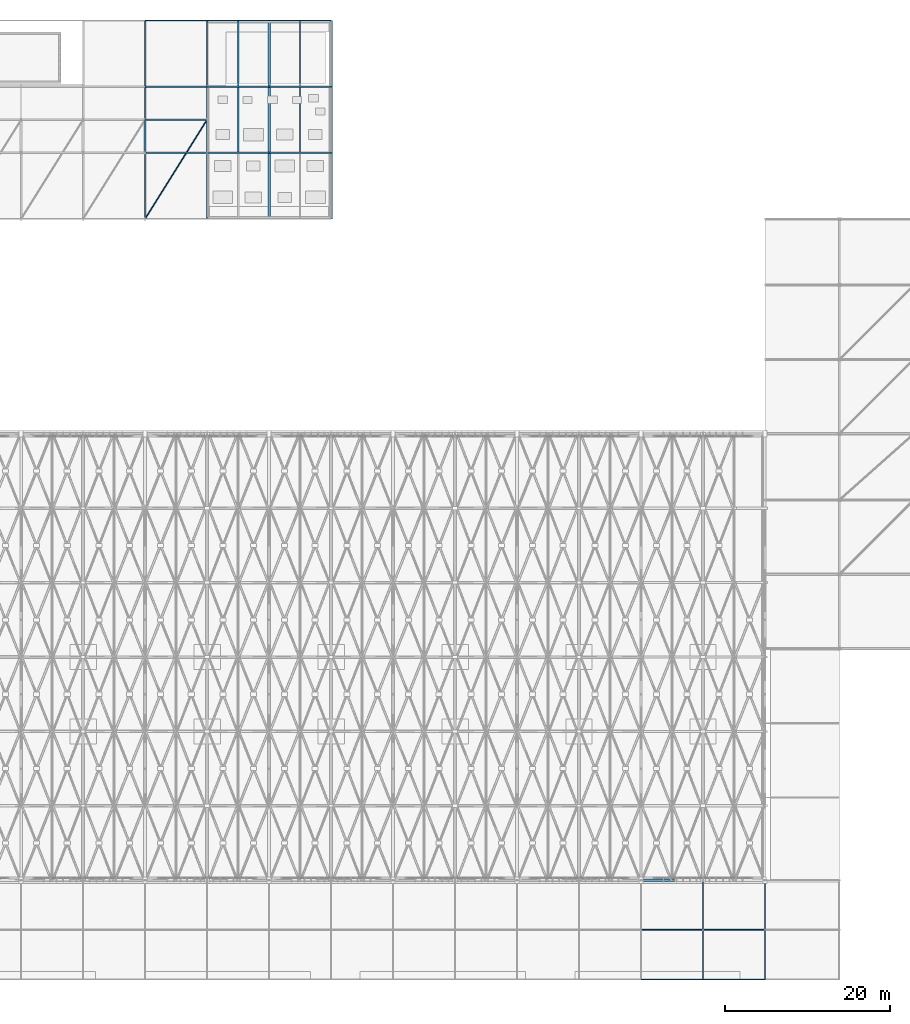
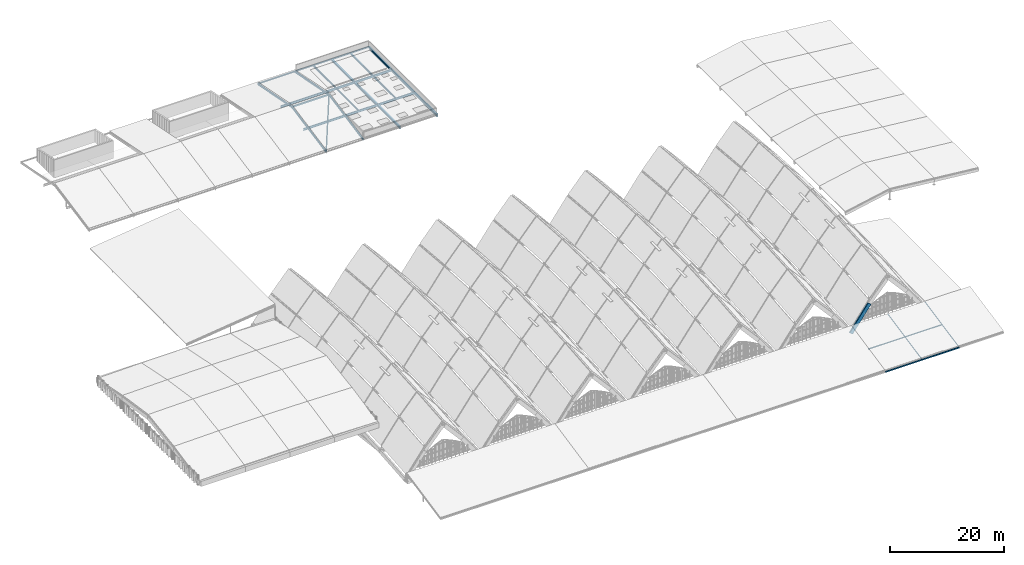
# One storey, part 49 of 93: 24 beams, 9 members.
"""IFC4 building model written with IfcOpenShell, lengths in metres."""

import ifcopenshell
import ifcopenshell.guid

model = None  # the IFC model being written
_history = None  # IfcOwnerHistory: only IFC2X3 demands one
_inside = {}  # id of a spatial element -> (the spatial element, [elements in it])
_under = {}  # id of a project, library or spatial element -> (it, [spatial elements below it])
_declared = {}  # id of a project -> (the project, [libraries it declares])
_typed = {}  # id of a type object -> (the type object, [elements of that type])
_made_of = {}  # id of a material, layer set ... -> (it, [elements and type objects made of it])


def new_model(schema):
    """Start an empty IFC model of exactly this schema.

    Asked for "IFC4X3", IfcOpenShell would pick the latest addendum, in which some entities
    have other attributes; the version numbers below select the first issue.
    IFC2X3 requires an IfcOwnerHistory on every rooted entity: one is made here for all.
    """
    global model, _history
    if schema == "IFC4X3":
        model = ifcopenshell.file(schema_version=(4, 3, 0, 0))
    else:
        model = ifcopenshell.file(schema=schema)
    _inside.clear()
    _under.clear()
    _declared.clear()
    _typed.clear()
    _made_of.clear()
    _history = None
    if model.schema == "IFC2X3":
        org = make("IfcOrganization", Name="unknown")
        user = make(
            "IfcPersonAndOrganization",
            ThePerson=make("IfcPerson", FamilyName="unknown"),
            TheOrganization=org,
        )
        app = make(
            "IfcApplication",
            ApplicationDeveloper=org,
            Version="unknown",
            ApplicationFullName="unknown",
            ApplicationIdentifier="unknown",
        )
        _history = make(
            "IfcOwnerHistory",
            OwningUser=user,
            OwningApplication=app,
            ChangeAction="ADDED",
            CreationDate=0,
        )
    return model


def make(cls, **values):
    """One entity of the class cls with the attributes given. An attribute that is None is left unset."""
    return model.create_entity(
        cls, **{name: value for name, value in values.items() if value is not None}
    )


def rooted(cls, **values):
    """An entity with a GlobalId (a new one), such as an element, a storey or a relation."""
    return make(cls, GlobalId=ifcopenshell.guid.new(), OwnerHistory=_history, **values)


def si_unit(unit_type, name, prefix=None):
    """IfcSIUnit, for example si_unit("LENGTHUNIT", "METRE", prefix="MILLI")."""
    return make("IfcSIUnit", UnitType=unit_type, Prefix=prefix, Name=name)


def assignment(units):
    """IfcUnitAssignment: the units of a project."""
    return None if units is None else make("IfcUnitAssignment", Units=units)


def point(xyz):
    """IfcCartesianPoint."""
    return None if xyz is None else make("IfcCartesianPoint", Coordinates=xyz)


def direction(xyz):
    """IfcDirection."""
    return None if xyz is None else make("IfcDirection", DirectionRatios=xyz)


def frame(location, z_axis=None, x_axis=None):
    """IfcAxis2Placement3D, a coordinate frame: its origin and axes. An axis left out is left unset."""
    return make(
        "IfcAxis2Placement3D",
        Location=point(location),
        Axis=direction(z_axis),
        RefDirection=direction(x_axis),
    )


def frame_2d(location, x_axis=None):
    """IfcAxis2Placement2D, a coordinate frame in the plane: its origin and x axis."""
    return make(
        "IfcAxis2Placement2D", Location=point(location), RefDirection=direction(x_axis)
    )


def origin():
    """The frame at (0, 0, 0) with its axes left unset."""
    return frame((0.0, 0.0, 0.0))


def origin_2d():
    """The frame at (0, 0) in the plane with its x axis left unset."""
    return frame_2d((0.0, 0.0))


def place(relative_to, where):
    """IfcLocalPlacement: puts the frame where relative to a parent placement (None: the world)."""
    return make(
        "IfcLocalPlacement", PlacementRelTo=relative_to, RelativePlacement=where
    )


def context(
    kind, dimensions, precision=None, world=None, true_north=None, identifier=None
):
    """IfcGeometricRepresentationContext, for example the 3D "Model" context."""
    return make(
        "IfcGeometricRepresentationContext",
        ContextIdentifier=identifier,
        ContextType=kind,
        CoordinateSpaceDimension=dimensions,
        Precision=precision,
        WorldCoordinateSystem=world,
        TrueNorth=true_north,
    )


def subcontext(parent, identifier, kind, view, scale=None):
    """IfcGeometricRepresentationSubContext, for example "Body" below "Model"."""
    return make(
        "IfcGeometricRepresentationSubContext",
        ContextIdentifier=identifier,
        ContextType=kind,
        ParentContext=parent,
        TargetScale=scale,
        TargetView=view,
    )


def project(units=None, contexts=None):
    """IfcProject with its units and contexts."""
    return rooted(
        "IfcProject",
        Name="project",
        RepresentationContexts=contexts,
        UnitsInContext=assignment(units),
    )


def spatial(cls, under=None, at=None, **own):
    """A site, building, storey or space (cls), placed at a placement, below another one or the project."""
    s = rooted(cls, ObjectPlacement=at, **own)
    if under is not None:
        _under.setdefault(under.id(), (under, []))[1].append(s)
    return s


def profile(cls, at=None, kind="AREA", **sizes):
    """A parametric profile (cls). Its sizes go by their IFC names, for example OverallWidth=200.0."""
    return make(cls, ProfileType=kind, Position=at, **sizes)


def rectangle(**sizes):
    """IfcRectangleProfileDef."""
    return profile("IfcRectangleProfileDef", **sizes)


def hollow_rectangle(**sizes):
    """IfcRectangleHollowProfileDef."""
    return profile("IfcRectangleHollowProfileDef", **sizes)


def hollow_circle(**sizes):
    """IfcCircleHollowProfileDef."""
    return profile("IfcCircleHollowProfileDef", **sizes)


def i_section(**sizes):
    """IfcIShapeProfileDef."""
    return profile("IfcIShapeProfileDef", **sizes)


def extrude(swept, where, along, depth):
    """IfcExtrudedAreaSolid: the profile swept, set in the frame where, extruded along a direction by depth."""
    return make(
        "IfcExtrudedAreaSolid",
        SweptArea=swept,
        Position=where,
        ExtrudedDirection=direction(along),
        Depth=depth,
    )


def shape(context_of_items, identifier, shape_type, items):
    """IfcShapeRepresentation: the items that make up one representation, for example the "Body"."""
    return make(
        "IfcShapeRepresentation",
        ContextOfItems=context_of_items,
        RepresentationIdentifier=identifier,
        RepresentationType=shape_type,
        Items=items,
    )


def material(Name=None, Category=None):
    """IfcMaterial."""
    return make("IfcMaterial", Name=Name, Category=Category)


def material_profile(
    of_material, cross_section, Name=None, Category=None, Priority=None
):
    """IfcMaterialProfile: a cross section and its material."""
    return make(
        "IfcMaterialProfile",
        Name=Name,
        Material=of_material,
        Profile=cross_section,
        Priority=Priority,
        Category=Category,
    )


def profile_set(profiles, Name=None, composite=None):
    """IfcMaterialProfileSet."""
    return make(
        "IfcMaterialProfileSet",
        Name=Name,
        MaterialProfiles=profiles,
        CompositeProfile=composite,
    )


def made_of(thing, what):
    """Note that an element or type object is made of a material, layer set ...; save() writes the relation."""
    if what is not None:
        _made_of.setdefault(what.id(), (what, []))[1].append(thing)
    return thing


def type_object(cls, material=None, **own):
    """A type object (cls), such as IfcWallType, which elements share."""
    return made_of(rooted(cls, **own), material)


def element(
    cls,
    number,
    at=None,
    inside=None,
    cuts=None,
    type_object=None,
    material=None,
    context=None,
    identifier="Body",
    shape_type=None,
    held_by="IfcProductDefinitionShape",
    body=None,
    shapes=None,
    **own,
):
    """One element of the class cls, such as IfcWall. Its Tag is "e" and its number.

    at: its placement. inside: the storey or other place that contains it. cuts: it is an
    opening in that element (IfcRelVoidsElement). A single representation is given by context,
    identifier, shape_type and body (its items); several are given by shapes. held_by: the class
    of the entity that holds the representations. save() writes the other relations.
    """
    e = rooted(cls, Tag="e%d" % number, ObjectPlacement=at, **own)
    if body is not None:
        shapes = [shape(context, identifier, shape_type, body)]
    if shapes is not None:
        e.Representation = make(held_by, Representations=shapes)
    if inside is not None:
        _inside.setdefault(inside.id(), (inside, []))[1].append(e)
    if cuts is not None:
        rooted(
            "IfcRelVoidsElement", RelatingBuildingElement=cuts, RelatedOpeningElement=e
        )
    if type_object is not None:
        _typed.setdefault(type_object.id(), (type_object, []))[1].append(e)
    return made_of(e, material)


def aggregate(whole, parts):
    """IfcRelAggregates: a whole, such as a stair, and the parts it consists of."""
    return rooted("IfcRelAggregates", RelatingObject=whole, RelatedObjects=parts)


def save(model, path):
    """Write the relations noted so far, then the file.

    IfcRelAggregates (storeys below a building ...), IfcRelContainedInSpatialStructure (elements
    in a storey), IfcRelDefinesByType, IfcRelAssociatesMaterial and IfcRelDeclares: one each for
    every whole, place, type object, material and project.
    """
    for whole, parts in _under.values():
        aggregate(whole, parts)
    for where, things in _inside.values():
        rooted(
            "IfcRelContainedInSpatialStructure",
            RelatedElements=things,
            RelatingStructure=where,
        )
    for kind, things in _typed.values():
        rooted("IfcRelDefinesByType", RelatedObjects=things, RelatingType=kind)
    for what, things in _made_of.values():
        rooted("IfcRelAssociatesMaterial", RelatedObjects=things, RelatingMaterial=what)
    for by, libraries in _declared.values():
        rooted("IfcRelDeclares", RelatingContext=by, RelatedDefinitions=libraries)
    model.write(path)


model = new_model("IFC4")

# Units and contexts
model_context = context("Model", 3, precision=1e-05, world=origin(), true_north=direction((0.0, 1.0)))
body_context = subcontext(model_context, "Body", "Model", "MODEL_VIEW")
ifc_project = project(units=[si_unit("LENGTHUNIT", "METRE"), si_unit("AREAUNIT", "SQUARE_METRE"), si_unit("VOLUMEUNIT", "CUBIC_METRE"), si_unit("PLANEANGLEUNIT", "RADIAN"), si_unit("MASSUNIT", "GRAM", prefix="KILO")], contexts=[model_context])

# Site, building, storey
site_placement = place(None, origin())
site = spatial("IfcSite", under=ifc_project, at=site_placement, CompositionType="ELEMENT")
building_placement = place(site_placement, origin())
building = spatial("IfcBuilding", under=site, at=building_placement, Name="Vourika Railside Aquatics Centre", CompositionType="ELEMENT")
storey_placement = place(building_placement, frame((0.0, 0.0, 21.89990234375)))
storey = spatial("IfcBuildingStorey", under=building, at=storey_placement, Name="Roof", CompositionType="ELEMENT", Elevation=21.89990234375)

# Beams
ifc_material_1 = material(Name="Glulam GL32h", Category="wood")
ifc_material_profile_1 = material_profile(ifc_material_1, rectangle(XDim=0.260009765625, YDim=0.760009765625, at=origin_2d()), Name="GL32h 260x760")
ifc_profile_set_1 = profile_set([ifc_material_profile_1], Name="Glulam GL32h")
beam_type_1 = type_object("IfcBeamType", Name="BM-GL-ARCH-260x760", PredefinedType="BEAM", material=ifc_profile_set_1)
beam_placement = place(storey_placement, frame((126.0, 12.0, -11.699951171875), z_axis=(0.592383087934, 0.0, 0.805656426233), x_axis=(0.0, 1.0, 0.0)))
element("IfcBeam", 1, at=beam_placement, inside=storey, type_object=beam_type_1, Name="Pointed Glulam Vault Arch Rib GAR-0205", PredefinedType="BEAM", context=body_context, shape_type="SweptSolid", body=[
    extrude(rectangle(XDim=0.260009765625, YDim=0.760009765625, at=origin_2d()), origin(), (0.0, 0.0, 1.0), 6.330322265625),
])
ifc_material_2 = material(Name="Steel S355J2", Category="steel")
ifc_material_profile_2 = material_profile(ifc_material_2, i_section(OverallWidth=0.300048828125, OverallDepth=0.449951171875, WebThickness=0.013916015625, FlangeThickness=0.02587890625, at=origin_2d()), Name="HEB 450")
ifc_profile_set_2 = profile_set([ifc_material_profile_2], Name="Steel S355J2")
beam_type_2 = type_object("IfcBeamType", Name="BM-STL-HEB450", PredefinedType="BEAM", material=ifc_profile_set_2)
for number, where, z_axis, x_axis, name in (
    (2, (81.0, 92.0, -0.46484375), (0.0, 1.0, 0.0), (-1.0, 0.0, 0.0), "Floor Girder GY-Roof-037"),
    (3, (81.0, 100.0, -0.46484375), (0.0, 1.0, 0.0), (-1.0, 0.0, 0.0), "Floor Girder GY-Roof-038"),
    (4, (81.0, 108.0, -0.46484375), (0.0, 1.0, 0.0), (-1.0, 0.0, 0.0), "Floor Girder GY-Roof-039"),
    (5, (88.5, 92.0, -0.46484375), (0.0, 1.0, 0.0), (-1.0, 0.0, 0.0), "Floor Girder GY-Roof-040"),
    (6, (88.5, 100.0, -0.46484375), (0.0, 1.0, 0.0), (-1.0, 0.0, 0.0), "Floor Girder GY-Roof-041"),
    (7, (88.5, 108.0, -0.46484375), (0.0, 1.0, 0.0), (-1.0, 0.0, 0.0), "Floor Girder GY-Roof-042"),
):
    element("IfcBeam", number, at=place(storey_placement, frame(where, z_axis=z_axis, x_axis=x_axis)), inside=storey, type_object=beam_type_2, Name=name, PredefinedType="BEAM", context=body_context, shape_type="SweptSolid", body=[
        extrude(i_section(OverallWidth=0.300048828125, OverallDepth=0.449951171875, WebThickness=0.013916015625, FlangeThickness=0.02587890625, at=origin_2d()), origin(), (0.0, 0.0, 1.0), 8.0),
    ])
ifc_material_profile_3 = material_profile(ifc_material_2, i_section(OverallWidth=0.135009765625, OverallDepth=0.27001953125, WebThickness=0.006591796875, FlangeThickness=0.01025390625, at=origin_2d()), Name="IPE 270")
ifc_profile_set_3 = profile_set([ifc_material_profile_3], Name="Steel S355J2")
beam_type_3 = type_object("IfcBeamType", Name="BM-STL-IPE270", PredefinedType="SPANDREL", material=ifc_profile_set_3)
for number, where, z_axis, x_axis, name in (
    (8, (66.0, 116.0, -0.375), (1.0, 0.0, 0.0), (0.0, 1.0, 0.0), "Floor Beam GX-Roof-034"),
    (9, (73.5, 116.0, -0.375), (1.0, 0.0, 0.0), (0.0, 1.0, 0.0), "Floor Beam GX-Roof-035"),
    (10, (81.0, 116.0, -0.375), (1.0, 0.0, 0.0), (0.0, 1.0, 0.0), "Floor Beam GX-Roof-036"),
):
    element("IfcBeam", number, at=place(storey_placement, frame(where, z_axis=z_axis, x_axis=x_axis)), inside=storey, type_object=beam_type_3, Name=name, PredefinedType="SPANDREL", context=body_context, shape_type="SweptSolid", body=[
        extrude(i_section(OverallWidth=0.135009765625, OverallDepth=0.27001953125, WebThickness=0.006591796875, FlangeThickness=0.01025390625, at=origin_2d()), origin(), (0.0, 0.0, 1.0), 7.5),
    ])
ifc_material_profile_4 = material_profile(ifc_material_2, i_section(OverallWidth=0.169921875, OverallDepth=0.360107421875, WebThickness=0.008056640625, FlangeThickness=0.0126953125, at=origin_2d()), Name="IPE 360")
ifc_profile_set_4 = profile_set([ifc_material_profile_4], Name="Steel S355J2")
beam_type_4 = type_object("IfcBeamType", Name="BM-STL-IPE360", PredefinedType="JOIST", material=ifc_profile_set_4)
for number, where, z_axis, x_axis, name in (
    (11, (77.25, 100.094970703125, -0.419921875), (0.0, 1.0, 0.0), (-1.0, 0.0, 0.0), "Secondary Joist JY-Roof-045"),
    (12, (84.75, 100.094970703125, -0.419921875), (0.0, 1.0, 0.0), (-1.0, 0.0, 0.0), "Secondary Joist JY-Roof-046"),
):
    element("IfcBeam", number, at=place(storey_placement, frame(where, z_axis=z_axis, x_axis=x_axis)), inside=storey, type_object=beam_type_4, Name=name, PredefinedType="JOIST", context=body_context, shape_type="SweptSolid", body=[
        extrude(i_section(OverallWidth=0.169921875, OverallDepth=0.360107421875, WebThickness=0.008056640625, FlangeThickness=0.0126953125, at=origin_2d()), origin(), (0.0, 0.0, 1.0), 7.81005859375),
    ])
for number, where, z_axis, x_axis, name in (
    (13, (77.25, 108.094970703125, -0.419921875), (0.0, 1.0, 0.0), (-1.0, 0.0, 0.0), "Secondary Joist JY-Roof-047"),
    (14, (84.75, 108.094970703125, -0.419921875), (0.0, 1.0, 0.0), (-1.0, 0.0, 0.0), "Secondary Joist JY-Roof-048"),
):
    element("IfcBeam", number, at=place(storey_placement, frame(where, z_axis=z_axis, x_axis=x_axis)), inside=storey, type_object=beam_type_4, Name=name, PredefinedType="JOIST", context=body_context, shape_type="SweptSolid", body=[
        extrude(i_section(OverallWidth=0.169921875, OverallDepth=0.360107421875, WebThickness=0.008056640625, FlangeThickness=0.0126953125, at=origin_2d()), origin(), (0.0, 0.0, 1.0), 7.837646484375),
    ])
ifc_material_profile_5 = material_profile(ifc_material_2, i_section(OverallWidth=0.179931640625, OverallDepth=0.39990234375, WebThickness=0.008544921875, FlangeThickness=0.013427734375, at=origin_2d()), Name="IPE 400")
ifc_profile_set_5 = profile_set([ifc_material_profile_5], Name="Steel S355J2")
beam_type_5 = type_object("IfcBeamType", Name="BM-STL-IPE400", PredefinedType="BEAM", material=ifc_profile_set_5)
for number, where, z_axis, x_axis, name in (
    (15, (66.0, 92.0, -0.3798828125), (0.0, 0.981665249086, 0.190613060247), (-1.0, 0.0, 0.0), "Fitness Roof South Rafter V5RS-66.0"),
    (16, (66.0, 104.0, 1.9501953125), (0.0, 0.981665249086, -0.190613060247), (-1.0, 0.0, 0.0), "Fitness Roof North Rafter V5RN-66.0"),
    (17, (73.5, 92.0, -0.3798828125), (0.0, 0.981665249086, 0.190613060247), (-1.0, 0.0, 0.0), "Fitness Roof South Rafter V5RS-73.5"),
    (18, (73.5, 104.0, 1.9501953125), (0.0, 0.981665249086, -0.190613060247), (-1.0, 0.0, 0.0), "Fitness Roof North Rafter V5RN-73.5"),
):
    element("IfcBeam", number, at=place(storey_placement, frame(where, z_axis=z_axis, x_axis=x_axis)), inside=storey, type_object=beam_type_5, Name=name, PredefinedType="BEAM", context=body_context, shape_type="SweptSolid", body=[
        extrude(i_section(OverallWidth=0.179931640625, OverallDepth=0.39990234375, WebThickness=0.008544921875, FlangeThickness=0.013427734375, at=origin_2d()), origin(), (0.0, 0.0, 1.0), 12.22412109375),
    ])
ifc_material_profile_6 = material_profile(ifc_material_2, i_section(OverallWidth=0.18994140625, OverallDepth=0.449951171875, WebThickness=0.009521484375, FlangeThickness=0.0146484375, at=origin_2d()), Name="IPE 450")
ifc_profile_set_6 = profile_set([ifc_material_profile_6], Name="Steel S355J2")
beam_type_6 = type_object("IfcBeamType", Name="BM-STL-IPE450", PredefinedType="BEAM", material=ifc_profile_set_6)
for number, where, z_axis, x_axis, name in (
    (19, (66.0, 100.0, -0.46484375), (1.0, 0.0, 0.0), (0.0, 1.0, 0.0), "Floor Beam GX-Roof-016"),
    (20, (73.5, 100.0, -0.46484375), (1.0, 0.0, 0.0), (0.0, 1.0, 0.0), "Floor Beam GX-Roof-017"),
    (21, (81.0, 100.0, -0.46484375), (1.0, 0.0, 0.0), (0.0, 1.0, 0.0), "Floor Beam GX-Roof-018"),
    (22, (66.0, 108.0, -0.46484375), (1.0, 0.0, 0.0), (0.0, 1.0, 0.0), "Floor Beam GX-Roof-025"),
    (23, (73.5, 108.0, -0.46484375), (1.0, 0.0, 0.0), (0.0, 1.0, 0.0), "Floor Beam GX-Roof-026"),
    (24, (81.0, 108.0, -0.46484375), (1.0, 0.0, 0.0), (0.0, 1.0, 0.0), "Floor Beam GX-Roof-027"),
):
    element("IfcBeam", number, at=place(storey_placement, frame(where, z_axis=z_axis, x_axis=x_axis)), inside=storey, type_object=beam_type_6, Name=name, PredefinedType="BEAM", context=body_context, shape_type="SweptSolid", body=[
        extrude(i_section(OverallWidth=0.18994140625, OverallDepth=0.449951171875, WebThickness=0.009521484375, FlangeThickness=0.0146484375, at=origin_2d()), origin(), (0.0, 0.0, 1.0), 7.5),
    ])

# Members
ifc_material_3 = material(Name="Duplex stainless steel EN 1.4462", Category="steel")
ifc_material_profile_7 = material_profile(ifc_material_3, hollow_circle(Radius=0.084228515625, WallThickness=0.008056640625, at=origin_2d()), Name="CHS 168.3x8")
ifc_profile_set_7 = profile_set([ifc_material_profile_7], Name="Duplex stainless steel EN 1.4462")
member_type_1 = type_object("IfcMemberType", Name="MEM-SS-CHS168", PredefinedType="BRACE", material=ifc_profile_set_7)
member_1_placement = place(storey_placement, frame((66.0, 92.0, -0.3798828125), z_axis=(0.522957033656, 0.83673125385, 0.162470765925), x_axis=(-0.847998304005, 0.529998940003, 0.0)))
element("IfcMember", 25, at=member_1_placement, inside=storey, type_object=member_type_1, Name="Fitness Roof Diagonal Stainless Tie V5DT-66.0", PredefinedType="BRACE", context=body_context, shape_type="SweptSolid", body=[
    extrude(hollow_circle(Radius=0.084228515625, WallThickness=0.008056640625, at=origin_2d()), origin(), (0.0, 0.0, 1.0), 14.341552734375),
])
ifc_material_profile_8 = material_profile(ifc_material_2, hollow_rectangle(XDim=0.10009765625, YDim=0.179931640625, WallThickness=0.008056640625, at=origin_2d()), Name="RHS 180x100x8")
ifc_profile_set_8 = profile_set([ifc_material_profile_8], Name="Steel S355J2")
member_type_2 = type_object("IfcMemberType", Name="MEM-STL-RHS180", PredefinedType="RAFTER", material=ifc_profile_set_8)
for number, where, z_axis, x_axis, name in (
    (26, (133.5, 0.0, -12.699951171875), (0.0, 0.979788513636, 0.200036168098), (-1.0, 0.0, 0.0), "Changing Roof Sloped Rafter V4R-133.5"),
    (27, (141.0, 0.0, -12.699951171875), (0.0, 0.979788513636, 0.200036168098), (-1.0, 0.0, 0.0), "Changing Roof Sloped Rafter V4R-141.0"),
):
    element("IfcMember", number, at=place(storey_placement, frame(where, z_axis=z_axis, x_axis=x_axis)), inside=storey, type_object=member_type_2, Name=name, PredefinedType="RAFTER", context=body_context, shape_type="SweptSolid", body=[
        extrude(hollow_rectangle(XDim=0.10009765625, YDim=0.179931640625, WallThickness=0.008056640625, at=origin_2d()), origin(), (0.0, 0.0, 1.0), 12.24755859375),
    ])
ifc_material_profile_9 = material_profile(ifc_material_2, hollow_rectangle(XDim=0.1201171875, YDim=0.199951171875, WallThickness=0.008056640625, at=origin_2d()), Name="RHS 200x120x8")
ifc_profile_set_9 = profile_set([ifc_material_profile_9], Name="Steel S355J2")
member_type_3 = type_object("IfcMemberType", Name="MEM-STL-RHS200", PredefinedType="PURLIN", material=ifc_profile_set_9)
for number, where, z_axis, x_axis, name in (
    (28, (126.0, 6.0, -11.474853515625), (1.0, 0.0, 0.0), (0.0, 1.0, 0.0), "Changing Roof RHS Purlin V4P-126.0-133.5"),
    (29, (133.5, 6.0, -11.474853515625), (1.0, 0.0, 0.0), (0.0, 1.0, 0.0), "Changing Roof RHS Purlin V4P-133.5-141.0"),
):
    element("IfcMember", number, at=place(storey_placement, frame(where, z_axis=z_axis, x_axis=x_axis)), inside=storey, type_object=member_type_3, Name=name, PredefinedType="PURLIN", context=body_context, shape_type="SweptSolid", body=[
        extrude(hollow_rectangle(XDim=0.1201171875, YDim=0.199951171875, WallThickness=0.008056640625, at=origin_2d()), origin(), (0.0, 0.0, 1.0), 7.5),
    ])
ifc_material_profile_10 = material_profile(ifc_material_2, hollow_rectangle(XDim=0.14990234375, YDim=0.25, WallThickness=0.010009765625, at=origin_2d()), Name="RHS 250x150x10")
ifc_profile_set_10 = profile_set([ifc_material_profile_10], Name="Steel S355J2")
member_type_4 = type_object("IfcMemberType", Name="MEM-STL-RHS250", PredefinedType="PURLIN", material=ifc_profile_set_10)
for number, where, z_axis, x_axis, name in (
    (30, (126.0, 0.0, -12.719970703125), (1.0, 0.0, 0.0), (0.0, 1.0, 0.0), "Changing Roof Eave Purlin V4E-126.0-133.5"),
    (31, (133.5, 0.0, -12.719970703125), (1.0, 0.0, 0.0), (0.0, 1.0, 0.0), "Changing Roof Eave Purlin V4E-133.5-141.0"),
):
    element("IfcMember", number, at=place(storey_placement, frame(where, z_axis=z_axis, x_axis=x_axis)), inside=storey, type_object=member_type_4, Name=name, PredefinedType="PURLIN", context=body_context, shape_type="SweptSolid", body=[
        extrude(hollow_rectangle(XDim=0.14990234375, YDim=0.25, WallThickness=0.010009765625, at=origin_2d()), origin(), (0.0, 0.0, 1.0), 7.5),
    ])
ifc_material_profile_11 = material_profile(ifc_material_2, hollow_rectangle(XDim=0.199951171875, YDim=0.300048828125, WallThickness=0.011962890625, at=origin_2d()), Name="RHS 300x200x12")
ifc_profile_set_11 = profile_set([ifc_material_profile_11], Name="Steel S355J2")
member_type_5 = type_object("IfcMemberType", Name="MEM-STL-RHS300", PredefinedType="CHORD", material=ifc_profile_set_11)
member_2_placement = place(storey_placement, frame((66.0, 104.0, 1.9501953125), z_axis=(1.0, 0.0, 0.0), x_axis=(0.0, 1.0, 0.0)))
element("IfcMember", 32, at=member_2_placement, inside=storey, type_object=member_type_5, Name="Fitness Roof Ridge Chord V5RC-66.0", PredefinedType="CHORD", context=body_context, shape_type="SweptSolid", body=[
    extrude(hollow_rectangle(XDim=0.199951171875, YDim=0.300048828125, WallThickness=0.011962890625, at=origin_2d()), origin(), (0.0, 0.0, 1.0), 7.5),
])
ifc_material_profile_12 = material_profile(ifc_material_2, hollow_rectangle(XDim=0.199951171875, YDim=0.199951171875, WallThickness=0.010009765625, at=origin_2d()), Name="SHS 200x200x10")
ifc_profile_set_12 = profile_set([ifc_material_profile_12], Name="Steel S355J2")
member_type_6 = type_object("IfcMemberType", Name="MEM-STL-SHS200", PredefinedType="STRUT", material=ifc_profile_set_12)
member_3_placement = place(storey_placement, frame((66.0, 100.0, 1.050048828125), z_axis=(0.0, 0.975602104142, 0.219546201048), x_axis=(-1.0, 0.0, 0.0)))
element("IfcMember", 33, at=member_3_placement, inside=storey, type_object=member_type_6, Name="Fitness Roof King Strut V5KS-66.0", PredefinedType="STRUT", context=body_context, shape_type="SweptSolid", body=[
    extrude(hollow_rectangle(XDim=0.199951171875, YDim=0.199951171875, WallThickness=0.010009765625, at=origin_2d()), origin(), (0.0, 0.0, 1.0), 4.10009765625),
])

save(model, "model.ifc")
